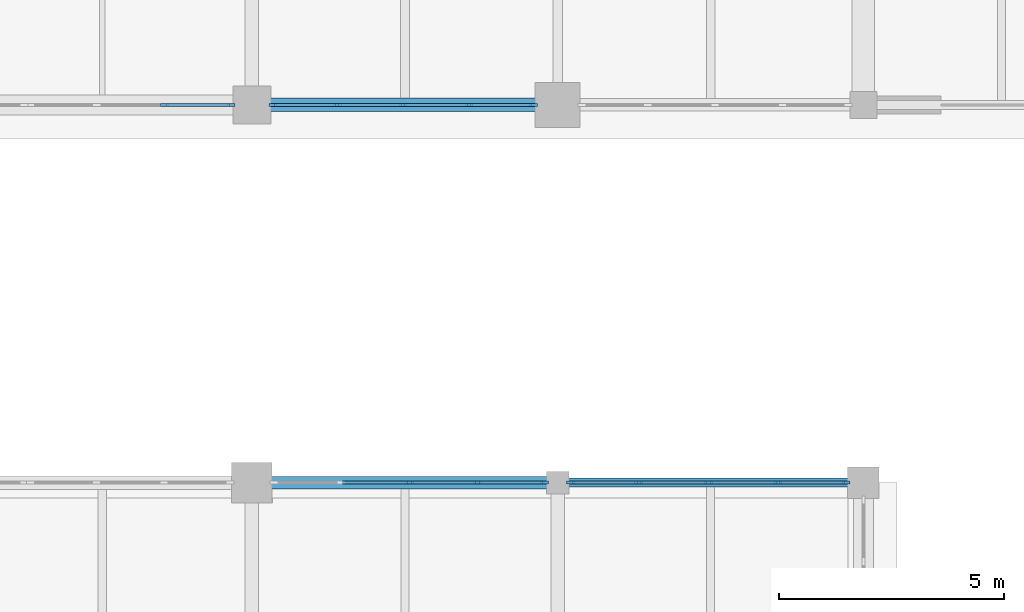
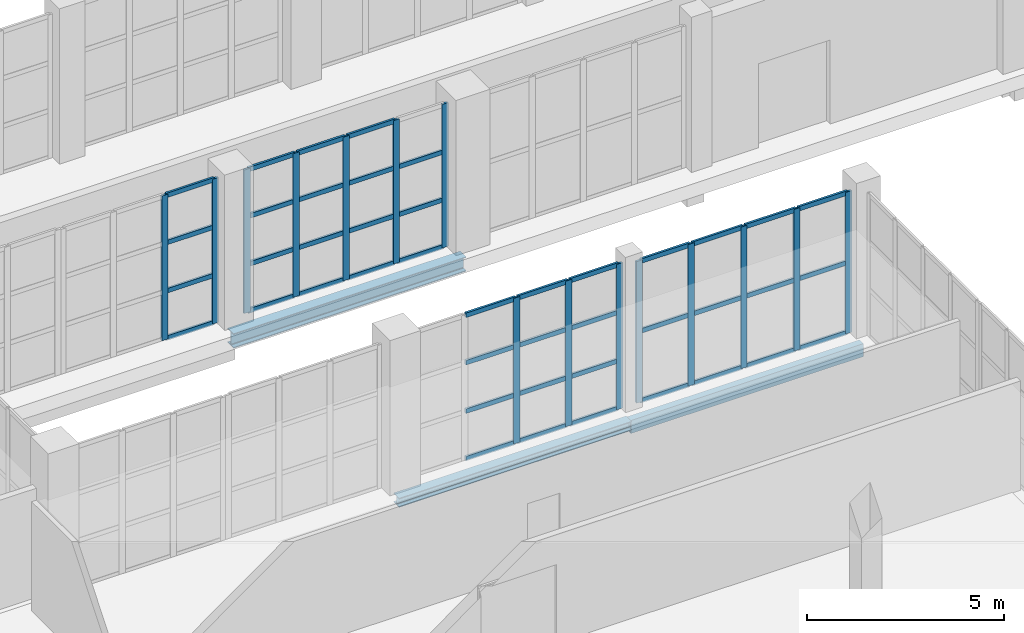
# One storey, part 45 of 121: 58 members, 3 beams, 4 elements without a shape of their own.
"""IFC4 building model written with IfcOpenShell, lengths in metres."""

import ifcopenshell
import ifcopenshell.guid

model = None  # the IFC model being written
_history = None  # IfcOwnerHistory: only IFC2X3 demands one
_inside = {}  # id of a spatial element -> (the spatial element, [elements in it])
_under = {}  # id of a project, library or spatial element -> (it, [spatial elements below it])
_declared = {}  # id of a project -> (the project, [libraries it declares])
_typed = {}  # id of a type object -> (the type object, [elements of that type])
_made_of = {}  # id of a material, layer set ... -> (it, [elements and type objects made of it])


def new_model(schema):
    """Start an empty IFC model of exactly this schema.

    Asked for "IFC4X3", IfcOpenShell would pick the latest addendum, in which some entities
    have other attributes; the version numbers below select the first issue.
    IFC2X3 requires an IfcOwnerHistory on every rooted entity: one is made here for all.
    """
    global model, _history
    if schema == "IFC4X3":
        model = ifcopenshell.file(schema_version=(4, 3, 0, 0))
    else:
        model = ifcopenshell.file(schema=schema)
    _inside.clear()
    _under.clear()
    _declared.clear()
    _typed.clear()
    _made_of.clear()
    _history = None
    if model.schema == "IFC2X3":
        org = make("IfcOrganization", Name="unknown")
        user = make(
            "IfcPersonAndOrganization",
            ThePerson=make("IfcPerson", FamilyName="unknown"),
            TheOrganization=org,
        )
        app = make(
            "IfcApplication",
            ApplicationDeveloper=org,
            Version="unknown",
            ApplicationFullName="unknown",
            ApplicationIdentifier="unknown",
        )
        _history = make(
            "IfcOwnerHistory",
            OwningUser=user,
            OwningApplication=app,
            ChangeAction="ADDED",
            CreationDate=0,
        )
    return model


def make(cls, **values):
    """One entity of the class cls with the attributes given. An attribute that is None is left unset."""
    return model.create_entity(
        cls, **{name: value for name, value in values.items() if value is not None}
    )


def rooted(cls, **values):
    """An entity with a GlobalId (a new one), such as an element, a storey or a relation."""
    return make(cls, GlobalId=ifcopenshell.guid.new(), OwnerHistory=_history, **values)


def si_unit(unit_type, name, prefix=None):
    """IfcSIUnit, for example si_unit("LENGTHUNIT", "METRE", prefix="MILLI")."""
    return make("IfcSIUnit", UnitType=unit_type, Prefix=prefix, Name=name)


def assignment(units):
    """IfcUnitAssignment: the units of a project."""
    return None if units is None else make("IfcUnitAssignment", Units=units)


def point(xyz):
    """IfcCartesianPoint."""
    return None if xyz is None else make("IfcCartesianPoint", Coordinates=xyz)


def direction(xyz):
    """IfcDirection."""
    return None if xyz is None else make("IfcDirection", DirectionRatios=xyz)


def frame(location, z_axis=None, x_axis=None):
    """IfcAxis2Placement3D, a coordinate frame: its origin and axes. An axis left out is left unset."""
    return make(
        "IfcAxis2Placement3D",
        Location=point(location),
        Axis=direction(z_axis),
        RefDirection=direction(x_axis),
    )


def frame_2d(location, x_axis=None):
    """IfcAxis2Placement2D, a coordinate frame in the plane: its origin and x axis."""
    return make(
        "IfcAxis2Placement2D", Location=point(location), RefDirection=direction(x_axis)
    )


def origin():
    """The frame at (0, 0, 0) with its axes left unset."""
    return frame((0.0, 0.0, 0.0))


def origin_2d():
    """The frame at (0, 0) in the plane with its x axis left unset."""
    return frame_2d((0.0, 0.0))


def place(relative_to, where):
    """IfcLocalPlacement: puts the frame where relative to a parent placement (None: the world)."""
    return make(
        "IfcLocalPlacement", PlacementRelTo=relative_to, RelativePlacement=where
    )


def context(
    kind, dimensions, precision=None, world=None, true_north=None, identifier=None
):
    """IfcGeometricRepresentationContext, for example the 3D "Model" context."""
    return make(
        "IfcGeometricRepresentationContext",
        ContextIdentifier=identifier,
        ContextType=kind,
        CoordinateSpaceDimension=dimensions,
        Precision=precision,
        WorldCoordinateSystem=world,
        TrueNorth=true_north,
    )


def subcontext(parent, identifier, kind, view, scale=None):
    """IfcGeometricRepresentationSubContext, for example "Body" below "Model"."""
    return make(
        "IfcGeometricRepresentationSubContext",
        ContextIdentifier=identifier,
        ContextType=kind,
        ParentContext=parent,
        TargetScale=scale,
        TargetView=view,
    )


def project(units=None, contexts=None):
    """IfcProject with its units and contexts."""
    return rooted(
        "IfcProject",
        Name="project",
        RepresentationContexts=contexts,
        UnitsInContext=assignment(units),
    )


def spatial(cls, under=None, at=None, **own):
    """A site, building, storey or space (cls), placed at a placement, below another one or the project."""
    s = rooted(cls, ObjectPlacement=at, **own)
    if under is not None:
        _under.setdefault(under.id(), (under, []))[1].append(s)
    return s


def profile(cls, at=None, kind="AREA", **sizes):
    """A parametric profile (cls). Its sizes go by their IFC names, for example OverallWidth=200.0."""
    return make(cls, ProfileType=kind, Position=at, **sizes)


def rectangle(**sizes):
    """IfcRectangleProfileDef."""
    return profile("IfcRectangleProfileDef", **sizes)


def hollow_rectangle(**sizes):
    """IfcRectangleHollowProfileDef."""
    return profile("IfcRectangleHollowProfileDef", **sizes)


def i_section(**sizes):
    """IfcIShapeProfileDef."""
    return profile("IfcIShapeProfileDef", **sizes)


def extrude(swept, where, along, depth):
    """IfcExtrudedAreaSolid: the profile swept, set in the frame where, extruded along a direction by depth."""
    return make(
        "IfcExtrudedAreaSolid",
        SweptArea=swept,
        Position=where,
        ExtrudedDirection=direction(along),
        Depth=depth,
    )


def shape(context_of_items, identifier, shape_type, items):
    """IfcShapeRepresentation: the items that make up one representation, for example the "Body"."""
    return make(
        "IfcShapeRepresentation",
        ContextOfItems=context_of_items,
        RepresentationIdentifier=identifier,
        RepresentationType=shape_type,
        Items=items,
    )


def material(Name=None, Category=None):
    """IfcMaterial."""
    return make("IfcMaterial", Name=Name, Category=Category)


def layer(
    of_material, thickness, ventilated=None, Name=None, Category=None, Priority=None
):
    """IfcMaterialLayer: one layer of a wall or slab, of a material (None: an air gap)."""
    return make(
        "IfcMaterialLayer",
        Material=of_material,
        LayerThickness=thickness,
        IsVentilated=ventilated,
        Name=Name,
        Category=Category,
        Priority=Priority,
    )


def layer_set(layers, Name=None):
    """IfcMaterialLayerSet."""
    return make("IfcMaterialLayerSet", MaterialLayers=layers, LayerSetName=Name)


def material_profile(
    of_material, cross_section, Name=None, Category=None, Priority=None
):
    """IfcMaterialProfile: a cross section and its material."""
    return make(
        "IfcMaterialProfile",
        Name=Name,
        Material=of_material,
        Profile=cross_section,
        Priority=Priority,
        Category=Category,
    )


def profile_set(profiles, Name=None, composite=None):
    """IfcMaterialProfileSet."""
    return make(
        "IfcMaterialProfileSet",
        Name=Name,
        MaterialProfiles=profiles,
        CompositeProfile=composite,
    )


def made_of(thing, what):
    """Note that an element or type object is made of a material, layer set ...; save() writes the relation."""
    if what is not None:
        _made_of.setdefault(what.id(), (what, []))[1].append(thing)
    return thing


def type_object(cls, material=None, **own):
    """A type object (cls), such as IfcWallType, which elements share."""
    return made_of(rooted(cls, **own), material)


def element(
    cls,
    number,
    at=None,
    inside=None,
    cuts=None,
    type_object=None,
    material=None,
    context=None,
    identifier="Body",
    shape_type=None,
    held_by="IfcProductDefinitionShape",
    body=None,
    shapes=None,
    **own,
):
    """One element of the class cls, such as IfcWall. Its Tag is "e" and its number.

    at: its placement. inside: the storey or other place that contains it. cuts: it is an
    opening in that element (IfcRelVoidsElement). A single representation is given by context,
    identifier, shape_type and body (its items); several are given by shapes. held_by: the class
    of the entity that holds the representations. save() writes the other relations.
    """
    e = rooted(cls, Tag="e%d" % number, ObjectPlacement=at, **own)
    if body is not None:
        shapes = [shape(context, identifier, shape_type, body)]
    if shapes is not None:
        e.Representation = make(held_by, Representations=shapes)
    if inside is not None:
        _inside.setdefault(inside.id(), (inside, []))[1].append(e)
    if cuts is not None:
        rooted(
            "IfcRelVoidsElement", RelatingBuildingElement=cuts, RelatedOpeningElement=e
        )
    if type_object is not None:
        _typed.setdefault(type_object.id(), (type_object, []))[1].append(e)
    return made_of(e, material)


def aggregate(whole, parts):
    """IfcRelAggregates: a whole, such as a stair, and the parts it consists of."""
    return rooted("IfcRelAggregates", RelatingObject=whole, RelatedObjects=parts)


def save(model, path):
    """Write the relations noted so far, then the file.

    IfcRelAggregates (storeys below a building ...), IfcRelContainedInSpatialStructure (elements
    in a storey), IfcRelDefinesByType, IfcRelAssociatesMaterial and IfcRelDeclares: one each for
    every whole, place, type object, material and project.
    """
    for whole, parts in _under.values():
        aggregate(whole, parts)
    for where, things in _inside.values():
        rooted(
            "IfcRelContainedInSpatialStructure",
            RelatedElements=things,
            RelatingStructure=where,
        )
    for kind, things in _typed.values():
        rooted("IfcRelDefinesByType", RelatedObjects=things, RelatingType=kind)
    for what, things in _made_of.values():
        rooted("IfcRelAssociatesMaterial", RelatedObjects=things, RelatingMaterial=what)
    for by, libraries in _declared.values():
        rooted("IfcRelDeclares", RelatingContext=by, RelatedDefinitions=libraries)
    model.write(path)


model = new_model("IFC4")

# Units and contexts
model_context = context("Model", 3, precision=1e-05, world=origin(), true_north=direction((0.0, 1.0)))
body_context = subcontext(model_context, "Body", "Model", "MODEL_VIEW")
ifc_project = project(units=[si_unit("LENGTHUNIT", "METRE"), si_unit("AREAUNIT", "SQUARE_METRE"), si_unit("VOLUMEUNIT", "CUBIC_METRE"), si_unit("PLANEANGLEUNIT", "RADIAN"), si_unit("MASSUNIT", "GRAM", prefix="KILO")], contexts=[model_context])

# Site, building, storey
site_placement = place(None, origin())
site = spatial("IfcSite", under=ifc_project, at=site_placement, CompositionType="ELEMENT")
building_placement = place(site_placement, origin())
building = spatial("IfcBuilding", under=site, at=building_placement, Name="Zereglee Splitstone Museum", CompositionType="ELEMENT")
storey_placement = place(building_placement, origin())
storey = spatial("IfcBuildingStorey", under=building, at=storey_placement, Name="L00", CompositionType="ELEMENT", Elevation=0.0)

# Curtain wall, members
ifc_material_1 = material(Name="Triple-glazed low-E argon glass and bronze-anodised aluminium", Category="aluminium")
ifc_layer_1 = layer(ifc_material_1, 0.179931640625)
ifc_layer_set_1 = layer_set([ifc_layer_1], Name="Triple-glazed low-E argon glass and bronze-anodised aluminium")
curtain_wall_type_1 = type_object("IfcCurtainWallType", Name="CW-0618-438", PredefinedType="USERDEFINED", material=ifc_layer_set_1)
curtain_wall_1_placement = place(storey_placement, origin())
curtain_wall_1 = element("IfcCurtainWall", 1, at=curtain_wall_1_placement, inside=storey, type_object=curtain_wall_type_1, Name="Glazed Curtain Wall CW-0618-438 (L00)", ObjectType="GLAZED CURTAIN WALL", PredefinedType="USERDEFINED")
ifc_material_2 = material(Name="Thermally broken bronze-anodised aluminium", Category="aluminium")
ifc_material_profile_1 = material_profile(ifc_material_2, rectangle(XDim=0.06494140625, YDim=0.179931640625, at=origin_2d()), Name="CW MULL 65x180")
ifc_profile_set_1 = profile_set([ifc_material_profile_1], Name="Thermally broken bronze-anodised aluminium")
member_type_1 = type_object("IfcMemberType", Name="CWM-01", PredefinedType="MULLION", material=ifc_profile_set_1)
member_1_placement = place(storey_placement, frame((228.409423828125, 21.60009765625, 0.0), z_axis=(0.0, 0.0, 1.0), x_axis=(0.0, -1.0, 0.0)))
member_1 = element("IfcMember", 2, at=member_1_placement, type_object=member_type_1, Name="CW-0618-438 mullion 1", PredefinedType="MULLION", context=body_context, shape_type="SweptSolid", body=[
    extrude(rectangle(XDim=0.06494140625, YDim=0.179931640625, at=origin_2d()), origin(), (0.0, 0.0, 1.0), 4.3798828125),
])
member_2_placement = place(storey_placement, frame((226.89599609375, 21.60009765625, 0.0), z_axis=(0.0, 0.0, 1.0), x_axis=(0.0, -1.0, 0.0)))
member_2 = element("IfcMember", 3, at=member_2_placement, type_object=member_type_1, Name="CW-0618-438 mullion 2", PredefinedType="MULLION", context=body_context, shape_type="SweptSolid", body=[
    extrude(rectangle(XDim=0.06494140625, YDim=0.179931640625, at=origin_2d()), origin(), (0.0, 0.0, 1.0), 4.3798828125),
])
member_3_placement = place(storey_placement, frame((225.35009765625, 21.60009765625, 0.0), z_axis=(0.0, 0.0, 1.0), x_axis=(0.0, -1.0, 0.0)))
member_3 = element("IfcMember", 4, at=member_3_placement, type_object=member_type_1, Name="CW-0618-438 mullion 3", PredefinedType="MULLION", context=body_context, shape_type="SweptSolid", body=[
    extrude(rectangle(XDim=0.06494140625, YDim=0.179931640625, at=origin_2d()), origin(), (0.0, 0.0, 1.0), 4.3798828125),
])
member_4_placement = place(storey_placement, frame((223.803955078125, 21.60009765625, 0.0), z_axis=(0.0, 0.0, 1.0), x_axis=(0.0, -1.0, 0.0)))
member_4 = element("IfcMember", 5, at=member_4_placement, type_object=member_type_1, Name="CW-0618-438 mullion 4", PredefinedType="MULLION", context=body_context, shape_type="SweptSolid", body=[
    extrude(rectangle(XDim=0.06494140625, YDim=0.179931640625, at=origin_2d()), origin(), (0.0, 0.0, 1.0), 4.3798828125),
])
member_5_placement = place(storey_placement, frame((222.29052734375, 21.60009765625, 0.0), z_axis=(0.0, 0.0, 1.0), x_axis=(0.0, -1.0, 0.0)))
member_5 = element("IfcMember", 6, at=member_5_placement, type_object=member_type_1, Name="CW-0618-438 mullion 5", PredefinedType="MULLION", context=body_context, shape_type="SweptSolid", body=[
    extrude(rectangle(XDim=0.06494140625, YDim=0.179931640625, at=origin_2d()), origin(), (0.0, 0.0, 1.0), 4.3798828125),
])

ifc_layer_2 = layer(ifc_material_1, 0.179931640625)
ifc_layer_set_2 = layer_set([ifc_layer_2], Name="Triple-glazed low-E argon glass and bronze-anodised aluminium")
curtain_wall_type_2 = type_object("IfcCurtainWallType", Name="CW-0608-450", PredefinedType="USERDEFINED", material=ifc_layer_set_2)
curtain_wall_2_placement = place(storey_placement, origin())
curtain_wall_2 = element("IfcCurtainWall", 7, at=curtain_wall_2_placement, inside=storey, type_object=curtain_wall_type_2, Name="Glazed Curtain Wall CW-0608-450 (L00)", ObjectType="GLAZED CURTAIN WALL", PredefinedType="USERDEFINED")
member_6_placement = place(storey_placement, frame((221.70947265625, 21.60009765625, 0.0), z_axis=(0.0, 0.0, 1.0), x_axis=(0.0, -1.0, 0.0)))
member_6 = element("IfcMember", 8, at=member_6_placement, type_object=member_type_1, Name="CW-0608-450 mullion 1", PredefinedType="MULLION", context=body_context, shape_type="SweptSolid", body=[
    extrude(rectangle(XDim=0.06494140625, YDim=0.179931640625, at=origin_2d()), origin(), (0.0, 0.0, 1.0), 4.5),
])
member_7_placement = place(storey_placement, frame((220.220947265625, 21.60009765625, 0.0), z_axis=(0.0, 0.0, 1.0), x_axis=(0.0, -1.0, 0.0)))
member_7 = element("IfcMember", 9, at=member_7_placement, type_object=member_type_1, Name="CW-0608-450 mullion 2", PredefinedType="MULLION", context=body_context, shape_type="SweptSolid", body=[
    extrude(rectangle(XDim=0.06494140625, YDim=0.179931640625, at=origin_2d()), origin(), (0.0, 0.0, 1.0), 4.5),
])
member_8_placement = place(storey_placement, frame((218.699951171875, 21.60009765625, 0.0), z_axis=(0.0, 0.0, 1.0), x_axis=(0.0, -1.0, 0.0)))
member_8 = element("IfcMember", 10, at=member_8_placement, type_object=member_type_1, Name="CW-0608-450 mullion 3", PredefinedType="MULLION", context=body_context, shape_type="SweptSolid", body=[
    extrude(rectangle(XDim=0.06494140625, YDim=0.179931640625, at=origin_2d()), origin(), (0.0, 0.0, 1.0), 4.5),
])

ifc_layer_3 = layer(ifc_material_1, 0.179931640625)
ifc_layer_set_3 = layer_set([ifc_layer_3], Name="Triple-glazed low-E argon glass and bronze-anodised aluminium")
curtain_wall_type_3 = type_object("IfcCurtainWallType", Name="CW-0453-448", PredefinedType="USERDEFINED", material=ifc_layer_set_3)
curtain_wall_3_placement = place(storey_placement, origin())
curtain_wall_3 = element("IfcCurtainWall", 11, at=curtain_wall_3_placement, inside=storey, type_object=curtain_wall_type_3, Name="Glazed Curtain Wall CW-0453-448 (L00)", ObjectType="GLAZED CURTAIN WALL", PredefinedType="USERDEFINED")
member_9_placement = place(storey_placement, frame((213.258056640625, 30.0, 0.0), z_axis=(0.0, 0.0, 1.0), x_axis=(0.0, 1.0, 0.0)))
member_9 = element("IfcMember", 12, at=member_9_placement, type_object=member_type_1, Name="CW-0453-448 mullion 3", PredefinedType="MULLION", context=body_context, shape_type="SweptSolid", body=[
    extrude(rectangle(XDim=0.06494140625, YDim=0.179931640625, at=origin_2d()), origin(), (0.0, 0.0, 1.0), 4.47998046875),
])
member_10_placement = place(storey_placement, frame((214.734619140625, 30.0, 0.0), z_axis=(0.0, 0.0, 1.0), x_axis=(0.0, 1.0, 0.0)))
member_10 = element("IfcMember", 13, at=member_10_placement, type_object=member_type_1, Name="CW-0453-448 mullion 4", PredefinedType="MULLION", context=body_context, shape_type="SweptSolid", body=[
    extrude(rectangle(XDim=0.06494140625, YDim=0.179931640625, at=origin_2d()), origin(), (0.0, 0.0, 1.0), 4.47998046875),
])

ifc_layer_4 = layer(ifc_material_1, 0.179931640625)
ifc_layer_set_4 = layer_set([ifc_layer_4], Name="Triple-glazed low-E argon glass and bronze-anodised aluminium")
curtain_wall_type_4 = type_object("IfcCurtainWallType", Name="CW-0586-444", PredefinedType="USERDEFINED", material=ifc_layer_set_4)
curtain_wall_4_placement = place(storey_placement, origin())
curtain_wall_4 = element("IfcCurtainWall", 14, at=curtain_wall_4_placement, inside=storey, type_object=curtain_wall_type_4, Name="Glazed Curtain Wall CW-0586-444 (L00)", ObjectType="GLAZED CURTAIN WALL", PredefinedType="USERDEFINED")
member_11_placement = place(storey_placement, frame((215.66552734375, 30.0, 0.0), z_axis=(0.0, 0.0, 1.0), x_axis=(0.0, 1.0, 0.0)))
member_11 = element("IfcMember", 15, at=member_11_placement, type_object=member_type_1, Name="CW-0586-444 mullion 1", PredefinedType="MULLION", context=body_context, shape_type="SweptSolid", body=[
    extrude(rectangle(XDim=0.06494140625, YDim=0.179931640625, at=origin_2d()), origin(), (0.0, 0.0, 1.0), 4.43994140625),
])
member_12_placement = place(storey_placement, frame((217.09765625, 30.0, 0.0), z_axis=(0.0, 0.0, 1.0), x_axis=(0.0, 1.0, 0.0)))
member_12 = element("IfcMember", 16, at=member_12_placement, type_object=member_type_1, Name="CW-0586-444 mullion 2", PredefinedType="MULLION", context=body_context, shape_type="SweptSolid", body=[
    extrude(rectangle(XDim=0.06494140625, YDim=0.179931640625, at=origin_2d()), origin(), (0.0, 0.0, 1.0), 4.43994140625),
])
member_13_placement = place(storey_placement, frame((218.5625, 30.0, 0.0), z_axis=(0.0, 0.0, 1.0), x_axis=(0.0, 1.0, 0.0)))
member_13 = element("IfcMember", 17, at=member_13_placement, type_object=member_type_1, Name="CW-0586-444 mullion 3", PredefinedType="MULLION", context=body_context, shape_type="SweptSolid", body=[
    extrude(rectangle(XDim=0.06494140625, YDim=0.179931640625, at=origin_2d()), origin(), (0.0, 0.0, 1.0), 4.43994140625),
])
member_14_placement = place(storey_placement, frame((220.02734375, 30.0, 0.0), z_axis=(0.0, 0.0, 1.0), x_axis=(0.0, 1.0, 0.0)))
member_14 = element("IfcMember", 18, at=member_14_placement, type_object=member_type_1, Name="CW-0586-444 mullion 4", PredefinedType="MULLION", context=body_context, shape_type="SweptSolid", body=[
    extrude(rectangle(XDim=0.06494140625, YDim=0.179931640625, at=origin_2d()), origin(), (0.0, 0.0, 1.0), 4.43994140625),
])
member_15_placement = place(storey_placement, frame((221.45947265625, 30.0, 0.0), z_axis=(0.0, 0.0, 1.0), x_axis=(0.0, 1.0, 0.0)))
member_15 = element("IfcMember", 19, at=member_15_placement, type_object=member_type_1, Name="CW-0586-444 mullion 5", PredefinedType="MULLION", context=body_context, shape_type="SweptSolid", body=[
    extrude(rectangle(XDim=0.06494140625, YDim=0.179931640625, at=origin_2d()), origin(), (0.0, 0.0, 1.0), 4.43994140625),
])

# Member
ifc_material_profile_2 = material_profile(ifc_material_2, rectangle(XDim=0.06494140625, YDim=0.139892578125, at=origin_2d()), Name="CW TRAN 65x140")
ifc_profile_set_2 = profile_set([ifc_material_profile_2], Name="Thermally broken bronze-anodised aluminium")
member_type_2 = type_object("IfcMemberType", Name="CWT-01", PredefinedType="USERDEFINED", material=ifc_profile_set_2)
member_16_placement = place(storey_placement, frame((228.376953125, 21.60009765625, 0.032470703125), z_axis=(-1.0, 0.0, 0.0), x_axis=(0.0, -1.0, 0.0)))
member_16 = element("IfcMember", 20, at=member_16_placement, type_object=member_type_2, Name="CW-0618-438 transom 1.1", ObjectType="TRANSOM", PredefinedType="USERDEFINED", context=body_context, shape_type="SweptSolid", body=[
    extrude(rectangle(XDim=0.06494140625, YDim=0.139892578125, at=origin_2d()), origin(), (0.0, 0.0, 1.0), 1.448486328125),
])

member_17_placement = place(storey_placement, frame((228.376953125, 21.60009765625, 2.18994140625), z_axis=(-1.0, 0.0, 0.0), x_axis=(0.0, -1.0, 0.0)))
member_17 = element("IfcMember", 21, at=member_17_placement, type_object=member_type_2, Name="CW-0618-438 transom 1.2", ObjectType="TRANSOM", PredefinedType="USERDEFINED", context=body_context, shape_type="SweptSolid", body=[
    extrude(rectangle(XDim=0.06494140625, YDim=0.139892578125, at=origin_2d()), origin(), (0.0, 0.0, 1.0), 1.448486328125),
])

member_18_placement = place(storey_placement, frame((228.376953125, 21.60009765625, 4.347412109375), z_axis=(-1.0, 0.0, 0.0), x_axis=(0.0, -1.0, 0.0)))
member_18 = element("IfcMember", 22, at=member_18_placement, type_object=member_type_2, Name="CW-0618-438 transom 1.3", ObjectType="TRANSOM", PredefinedType="USERDEFINED", context=body_context, shape_type="SweptSolid", body=[
    extrude(rectangle(XDim=0.06494140625, YDim=0.139892578125, at=origin_2d()), origin(), (0.0, 0.0, 1.0), 1.448486328125),
])

member_19_placement = place(storey_placement, frame((226.863525390625, 21.60009765625, 0.032470703125), z_axis=(-1.0, 0.0, 0.0), x_axis=(0.0, -1.0, 0.0)))
member_19 = element("IfcMember", 23, at=member_19_placement, type_object=member_type_2, Name="CW-0618-438 transom 2.1", ObjectType="TRANSOM", PredefinedType="USERDEFINED", context=body_context, shape_type="SweptSolid", body=[
    extrude(rectangle(XDim=0.06494140625, YDim=0.139892578125, at=origin_2d()), origin(), (0.0, 0.0, 1.0), 1.48095703125),
])

member_20_placement = place(storey_placement, frame((226.863525390625, 21.60009765625, 2.18994140625), z_axis=(-1.0, 0.0, 0.0), x_axis=(0.0, -1.0, 0.0)))
member_20 = element("IfcMember", 24, at=member_20_placement, type_object=member_type_2, Name="CW-0618-438 transom 2.2", ObjectType="TRANSOM", PredefinedType="USERDEFINED", context=body_context, shape_type="SweptSolid", body=[
    extrude(rectangle(XDim=0.06494140625, YDim=0.139892578125, at=origin_2d()), origin(), (0.0, 0.0, 1.0), 1.48095703125),
])

member_21_placement = place(storey_placement, frame((226.863525390625, 21.60009765625, 4.347412109375), z_axis=(-1.0, 0.0, 0.0), x_axis=(0.0, -1.0, 0.0)))
member_21 = element("IfcMember", 25, at=member_21_placement, type_object=member_type_2, Name="CW-0618-438 transom 2.3", ObjectType="TRANSOM", PredefinedType="USERDEFINED", context=body_context, shape_type="SweptSolid", body=[
    extrude(rectangle(XDim=0.06494140625, YDim=0.139892578125, at=origin_2d()), origin(), (0.0, 0.0, 1.0), 1.48095703125),
])

member_22_placement = place(storey_placement, frame((225.3173828125, 21.60009765625, 0.032470703125), z_axis=(-1.0, 0.0, 0.0), x_axis=(0.0, -1.0, 0.0)))
member_22 = element("IfcMember", 26, at=member_22_placement, type_object=member_type_2, Name="CW-0618-438 transom 3.1", ObjectType="TRANSOM", PredefinedType="USERDEFINED", context=body_context, shape_type="SweptSolid", body=[
    extrude(rectangle(XDim=0.06494140625, YDim=0.139892578125, at=origin_2d()), origin(), (0.0, 0.0, 1.0), 1.48095703125),
])

member_23_placement = place(storey_placement, frame((225.3173828125, 21.60009765625, 2.18994140625), z_axis=(-1.0, 0.0, 0.0), x_axis=(0.0, -1.0, 0.0)))
member_23 = element("IfcMember", 27, at=member_23_placement, type_object=member_type_2, Name="CW-0618-438 transom 3.2", ObjectType="TRANSOM", PredefinedType="USERDEFINED", context=body_context, shape_type="SweptSolid", body=[
    extrude(rectangle(XDim=0.06494140625, YDim=0.139892578125, at=origin_2d()), origin(), (0.0, 0.0, 1.0), 1.48095703125),
])

member_24_placement = place(storey_placement, frame((225.3173828125, 21.60009765625, 4.347412109375), z_axis=(-1.0, 0.0, 0.0), x_axis=(0.0, -1.0, 0.0)))
member_24 = element("IfcMember", 28, at=member_24_placement, type_object=member_type_2, Name="CW-0618-438 transom 3.3", ObjectType="TRANSOM", PredefinedType="USERDEFINED", context=body_context, shape_type="SweptSolid", body=[
    extrude(rectangle(XDim=0.06494140625, YDim=0.139892578125, at=origin_2d()), origin(), (0.0, 0.0, 1.0), 1.48095703125),
])

member_25_placement = place(storey_placement, frame((223.771484375, 21.60009765625, 0.032470703125), z_axis=(-1.0, 0.0, 0.0), x_axis=(0.0, -1.0, 0.0)))
member_25 = element("IfcMember", 29, at=member_25_placement, type_object=member_type_2, Name="CW-0618-438 transom 4.1", ObjectType="TRANSOM", PredefinedType="USERDEFINED", context=body_context, shape_type="SweptSolid", body=[
    extrude(rectangle(XDim=0.06494140625, YDim=0.139892578125, at=origin_2d()), origin(), (0.0, 0.0, 1.0), 1.448486328125),
])

member_26_placement = place(storey_placement, frame((223.771484375, 21.60009765625, 2.18994140625), z_axis=(-1.0, 0.0, 0.0), x_axis=(0.0, -1.0, 0.0)))
member_26 = element("IfcMember", 30, at=member_26_placement, type_object=member_type_2, Name="CW-0618-438 transom 4.2", ObjectType="TRANSOM", PredefinedType="USERDEFINED", context=body_context, shape_type="SweptSolid", body=[
    extrude(rectangle(XDim=0.06494140625, YDim=0.139892578125, at=origin_2d()), origin(), (0.0, 0.0, 1.0), 1.448486328125),
])

member_27_placement = place(storey_placement, frame((223.771484375, 21.60009765625, 4.347412109375), z_axis=(-1.0, 0.0, 0.0), x_axis=(0.0, -1.0, 0.0)))
member_27 = element("IfcMember", 31, at=member_27_placement, type_object=member_type_2, Name="CW-0618-438 transom 4.3", ObjectType="TRANSOM", PredefinedType="USERDEFINED", context=body_context, shape_type="SweptSolid", body=[
    extrude(rectangle(XDim=0.06494140625, YDim=0.139892578125, at=origin_2d()), origin(), (0.0, 0.0, 1.0), 1.448486328125),
])

aggregate(curtain_wall_1, [member_1, member_2, member_3, member_4, member_5, member_16, member_17, member_18, member_19, member_20, member_21, member_22, member_23, member_24, member_25, member_26, member_27])

member_28_placement = place(storey_placement, frame((221.677001953125, 21.60009765625, 0.032470703125), z_axis=(-1.0, 0.0, 0.0), x_axis=(0.0, -1.0, 0.0)))
member_28 = element("IfcMember", 32, at=member_28_placement, type_object=member_type_2, Name="CW-0608-450 transom 1.1", ObjectType="TRANSOM", PredefinedType="USERDEFINED", context=body_context, shape_type="SweptSolid", body=[
    extrude(rectangle(XDim=0.06494140625, YDim=0.139892578125, at=origin_2d()), origin(), (0.0, 0.0, 1.0), 1.423583984375),
])

member_29_placement = place(storey_placement, frame((221.677001953125, 21.60009765625, 1.5), z_axis=(-1.0, 0.0, 0.0), x_axis=(0.0, -1.0, 0.0)))
member_29 = element("IfcMember", 33, at=member_29_placement, type_object=member_type_2, Name="CW-0608-450 transom 1.2", ObjectType="TRANSOM", PredefinedType="USERDEFINED", context=body_context, shape_type="SweptSolid", body=[
    extrude(rectangle(XDim=0.06494140625, YDim=0.139892578125, at=origin_2d()), origin(), (0.0, 0.0, 1.0), 1.423583984375),
])

member_30_placement = place(storey_placement, frame((221.677001953125, 21.60009765625, 3.0), z_axis=(-1.0, 0.0, 0.0), x_axis=(0.0, -1.0, 0.0)))
member_30 = element("IfcMember", 34, at=member_30_placement, type_object=member_type_2, Name="CW-0608-450 transom 1.3", ObjectType="TRANSOM", PredefinedType="USERDEFINED", context=body_context, shape_type="SweptSolid", body=[
    extrude(rectangle(XDim=0.06494140625, YDim=0.139892578125, at=origin_2d()), origin(), (0.0, 0.0, 1.0), 1.423583984375),
])

member_31_placement = place(storey_placement, frame((221.677001953125, 21.60009765625, 4.467529296875), z_axis=(-1.0, 0.0, 0.0), x_axis=(0.0, -1.0, 0.0)))
member_31 = element("IfcMember", 35, at=member_31_placement, type_object=member_type_2, Name="CW-0608-450 transom 1.4", ObjectType="TRANSOM", PredefinedType="USERDEFINED", context=body_context, shape_type="SweptSolid", body=[
    extrude(rectangle(XDim=0.06494140625, YDim=0.139892578125, at=origin_2d()), origin(), (0.0, 0.0, 1.0), 1.423583984375),
])

member_32_placement = place(storey_placement, frame((220.1884765625, 21.60009765625, 0.032470703125), z_axis=(-1.0, 0.0, 0.0), x_axis=(0.0, -1.0, 0.0)))
member_32 = element("IfcMember", 36, at=member_32_placement, type_object=member_type_2, Name="CW-0608-450 transom 2.1", ObjectType="TRANSOM", PredefinedType="USERDEFINED", context=body_context, shape_type="SweptSolid", body=[
    extrude(rectangle(XDim=0.06494140625, YDim=0.139892578125, at=origin_2d()), origin(), (0.0, 0.0, 1.0), 1.4560546875),
])

member_33_placement = place(storey_placement, frame((220.1884765625, 21.60009765625, 1.5), z_axis=(-1.0, 0.0, 0.0), x_axis=(0.0, -1.0, 0.0)))
member_33 = element("IfcMember", 37, at=member_33_placement, type_object=member_type_2, Name="CW-0608-450 transom 2.2", ObjectType="TRANSOM", PredefinedType="USERDEFINED", context=body_context, shape_type="SweptSolid", body=[
    extrude(rectangle(XDim=0.06494140625, YDim=0.139892578125, at=origin_2d()), origin(), (0.0, 0.0, 1.0), 1.4560546875),
])

member_34_placement = place(storey_placement, frame((220.1884765625, 21.60009765625, 3.0), z_axis=(-1.0, 0.0, 0.0), x_axis=(0.0, -1.0, 0.0)))
member_34 = element("IfcMember", 38, at=member_34_placement, type_object=member_type_2, Name="CW-0608-450 transom 2.3", ObjectType="TRANSOM", PredefinedType="USERDEFINED", context=body_context, shape_type="SweptSolid", body=[
    extrude(rectangle(XDim=0.06494140625, YDim=0.139892578125, at=origin_2d()), origin(), (0.0, 0.0, 1.0), 1.4560546875),
])

member_35_placement = place(storey_placement, frame((220.1884765625, 21.60009765625, 4.467529296875), z_axis=(-1.0, 0.0, 0.0), x_axis=(0.0, -1.0, 0.0)))
member_35 = element("IfcMember", 39, at=member_35_placement, type_object=member_type_2, Name="CW-0608-450 transom 2.4", ObjectType="TRANSOM", PredefinedType="USERDEFINED", context=body_context, shape_type="SweptSolid", body=[
    extrude(rectangle(XDim=0.06494140625, YDim=0.139892578125, at=origin_2d()), origin(), (0.0, 0.0, 1.0), 1.4560546875),
])

member_36_placement = place(storey_placement, frame((218.66748046875, 21.60009765625, 0.032470703125), z_axis=(-1.0, 0.0, 0.0), x_axis=(0.0, -1.0, 0.0)))
member_36 = element("IfcMember", 40, at=member_36_placement, type_object=member_type_2, Name="CW-0608-450 transom 3.1", ObjectType="TRANSOM", PredefinedType="USERDEFINED", context=body_context, shape_type="SweptSolid", body=[
    extrude(rectangle(XDim=0.06494140625, YDim=0.139892578125, at=origin_2d()), origin(), (0.0, 0.0, 1.0), 1.4560546875),
])

member_37_placement = place(storey_placement, frame((218.66748046875, 21.60009765625, 1.5), z_axis=(-1.0, 0.0, 0.0), x_axis=(0.0, -1.0, 0.0)))
member_37 = element("IfcMember", 41, at=member_37_placement, type_object=member_type_2, Name="CW-0608-450 transom 3.2", ObjectType="TRANSOM", PredefinedType="USERDEFINED", context=body_context, shape_type="SweptSolid", body=[
    extrude(rectangle(XDim=0.06494140625, YDim=0.139892578125, at=origin_2d()), origin(), (0.0, 0.0, 1.0), 1.4560546875),
])

member_38_placement = place(storey_placement, frame((218.66748046875, 21.60009765625, 3.0), z_axis=(-1.0, 0.0, 0.0), x_axis=(0.0, -1.0, 0.0)))
member_38 = element("IfcMember", 42, at=member_38_placement, type_object=member_type_2, Name="CW-0608-450 transom 3.3", ObjectType="TRANSOM", PredefinedType="USERDEFINED", context=body_context, shape_type="SweptSolid", body=[
    extrude(rectangle(XDim=0.06494140625, YDim=0.139892578125, at=origin_2d()), origin(), (0.0, 0.0, 1.0), 1.4560546875),
])

member_39_placement = place(storey_placement, frame((218.66748046875, 21.60009765625, 4.467529296875), z_axis=(-1.0, 0.0, 0.0), x_axis=(0.0, -1.0, 0.0)))
member_39 = element("IfcMember", 43, at=member_39_placement, type_object=member_type_2, Name="CW-0608-450 transom 3.4", ObjectType="TRANSOM", PredefinedType="USERDEFINED", context=body_context, shape_type="SweptSolid", body=[
    extrude(rectangle(XDim=0.06494140625, YDim=0.139892578125, at=origin_2d()), origin(), (0.0, 0.0, 1.0), 1.4560546875),
])

aggregate(curtain_wall_2, [member_6, member_7, member_8, member_28, member_29, member_30, member_31, member_32, member_33, member_34, member_35, member_36, member_37, member_38, member_39])

member_40_placement = place(storey_placement, frame((213.29052734375, 30.0, 0.032470703125), z_axis=(1.0, 0.0, 0.0), x_axis=(0.0, 1.0, 0.0)))
member_40 = element("IfcMember", 44, at=member_40_placement, type_object=member_type_2, Name="CW-0453-448 transom 3.1", ObjectType="TRANSOM", PredefinedType="USERDEFINED", context=body_context, shape_type="SweptSolid", body=[
    extrude(rectangle(XDim=0.06494140625, YDim=0.139892578125, at=origin_2d()), origin(), (0.0, 0.0, 1.0), 1.411376953125),
])

member_41_placement = place(storey_placement, frame((213.29052734375, 30.0, 1.493408203125), z_axis=(1.0, 0.0, 0.0), x_axis=(0.0, 1.0, 0.0)))
member_41 = element("IfcMember", 45, at=member_41_placement, type_object=member_type_2, Name="CW-0453-448 transom 3.2", ObjectType="TRANSOM", PredefinedType="USERDEFINED", context=body_context, shape_type="SweptSolid", body=[
    extrude(rectangle(XDim=0.06494140625, YDim=0.139892578125, at=origin_2d()), origin(), (0.0, 0.0, 1.0), 1.411376953125),
])

member_42_placement = place(storey_placement, frame((213.29052734375, 30.0, 2.98681640625), z_axis=(1.0, 0.0, 0.0), x_axis=(0.0, 1.0, 0.0)))
member_42 = element("IfcMember", 46, at=member_42_placement, type_object=member_type_2, Name="CW-0453-448 transom 3.3", ObjectType="TRANSOM", PredefinedType="USERDEFINED", context=body_context, shape_type="SweptSolid", body=[
    extrude(rectangle(XDim=0.06494140625, YDim=0.139892578125, at=origin_2d()), origin(), (0.0, 0.0, 1.0), 1.411376953125),
])

member_43_placement = place(storey_placement, frame((213.29052734375, 30.0, 4.447509765625), z_axis=(1.0, 0.0, 0.0), x_axis=(0.0, 1.0, 0.0)))
member_43 = element("IfcMember", 47, at=member_43_placement, type_object=member_type_2, Name="CW-0453-448 transom 3.4", ObjectType="TRANSOM", PredefinedType="USERDEFINED", context=body_context, shape_type="SweptSolid", body=[
    extrude(rectangle(XDim=0.06494140625, YDim=0.139892578125, at=origin_2d()), origin(), (0.0, 0.0, 1.0), 1.411376953125),
])

aggregate(curtain_wall_3, [member_9, member_10, member_40, member_41, member_42, member_43])

member_44_placement = place(storey_placement, frame((215.697998046875, 30.0, 0.032470703125), z_axis=(1.0, 0.0, 0.0), x_axis=(0.0, 1.0, 0.0)))
member_44 = element("IfcMember", 48, at=member_44_placement, type_object=member_type_2, Name="CW-0586-444 transom 1.1", ObjectType="TRANSOM", PredefinedType="USERDEFINED", context=body_context, shape_type="SweptSolid", body=[
    extrude(rectangle(XDim=0.06494140625, YDim=0.139892578125, at=origin_2d()), origin(), (0.0, 0.0, 1.0), 1.3671875),
])

member_45_placement = place(storey_placement, frame((215.697998046875, 30.0, 1.47998046875), z_axis=(1.0, 0.0, 0.0), x_axis=(0.0, 1.0, 0.0)))
member_45 = element("IfcMember", 49, at=member_45_placement, type_object=member_type_2, Name="CW-0586-444 transom 1.2", ObjectType="TRANSOM", PredefinedType="USERDEFINED", context=body_context, shape_type="SweptSolid", body=[
    extrude(rectangle(XDim=0.06494140625, YDim=0.139892578125, at=origin_2d()), origin(), (0.0, 0.0, 1.0), 1.3671875),
])

member_46_placement = place(storey_placement, frame((215.697998046875, 30.0, 2.9599609375), z_axis=(1.0, 0.0, 0.0), x_axis=(0.0, 1.0, 0.0)))
member_46 = element("IfcMember", 50, at=member_46_placement, type_object=member_type_2, Name="CW-0586-444 transom 1.3", ObjectType="TRANSOM", PredefinedType="USERDEFINED", context=body_context, shape_type="SweptSolid", body=[
    extrude(rectangle(XDim=0.06494140625, YDim=0.139892578125, at=origin_2d()), origin(), (0.0, 0.0, 1.0), 1.3671875),
])

member_47_placement = place(storey_placement, frame((215.697998046875, 30.0, 4.407470703125), z_axis=(1.0, 0.0, 0.0), x_axis=(0.0, 1.0, 0.0)))
member_47 = element("IfcMember", 51, at=member_47_placement, type_object=member_type_2, Name="CW-0586-444 transom 1.4", ObjectType="TRANSOM", PredefinedType="USERDEFINED", context=body_context, shape_type="SweptSolid", body=[
    extrude(rectangle(XDim=0.06494140625, YDim=0.139892578125, at=origin_2d()), origin(), (0.0, 0.0, 1.0), 1.3671875),
])

member_48_placement = place(storey_placement, frame((217.13037109375, 30.0, 0.032470703125), z_axis=(1.0, 0.0, 0.0), x_axis=(0.0, 1.0, 0.0)))
member_48 = element("IfcMember", 52, at=member_48_placement, type_object=member_type_2, Name="CW-0586-444 transom 2.1", ObjectType="TRANSOM", PredefinedType="USERDEFINED", context=body_context, shape_type="SweptSolid", body=[
    extrude(rectangle(XDim=0.06494140625, YDim=0.139892578125, at=origin_2d()), origin(), (0.0, 0.0, 1.0), 1.399658203125),
])

member_49_placement = place(storey_placement, frame((217.13037109375, 30.0, 1.47998046875), z_axis=(1.0, 0.0, 0.0), x_axis=(0.0, 1.0, 0.0)))
member_49 = element("IfcMember", 53, at=member_49_placement, type_object=member_type_2, Name="CW-0586-444 transom 2.2", ObjectType="TRANSOM", PredefinedType="USERDEFINED", context=body_context, shape_type="SweptSolid", body=[
    extrude(rectangle(XDim=0.06494140625, YDim=0.139892578125, at=origin_2d()), origin(), (0.0, 0.0, 1.0), 1.399658203125),
])

member_50_placement = place(storey_placement, frame((217.13037109375, 30.0, 2.9599609375), z_axis=(1.0, 0.0, 0.0), x_axis=(0.0, 1.0, 0.0)))
member_50 = element("IfcMember", 54, at=member_50_placement, type_object=member_type_2, Name="CW-0586-444 transom 2.3", ObjectType="TRANSOM", PredefinedType="USERDEFINED", context=body_context, shape_type="SweptSolid", body=[
    extrude(rectangle(XDim=0.06494140625, YDim=0.139892578125, at=origin_2d()), origin(), (0.0, 0.0, 1.0), 1.399658203125),
])

member_51_placement = place(storey_placement, frame((217.13037109375, 30.0, 4.407470703125), z_axis=(1.0, 0.0, 0.0), x_axis=(0.0, 1.0, 0.0)))
member_51 = element("IfcMember", 55, at=member_51_placement, type_object=member_type_2, Name="CW-0586-444 transom 2.4", ObjectType="TRANSOM", PredefinedType="USERDEFINED", context=body_context, shape_type="SweptSolid", body=[
    extrude(rectangle(XDim=0.06494140625, YDim=0.139892578125, at=origin_2d()), origin(), (0.0, 0.0, 1.0), 1.399658203125),
])

member_52_placement = place(storey_placement, frame((218.594970703125, 30.0, 0.032470703125), z_axis=(1.0, 0.0, 0.0), x_axis=(0.0, 1.0, 0.0)))
member_52 = element("IfcMember", 56, at=member_52_placement, type_object=member_type_2, Name="CW-0586-444 transom 3.1", ObjectType="TRANSOM", PredefinedType="USERDEFINED", context=body_context, shape_type="SweptSolid", body=[
    extrude(rectangle(XDim=0.06494140625, YDim=0.139892578125, at=origin_2d()), origin(), (0.0, 0.0, 1.0), 1.399658203125),
])

member_53_placement = place(storey_placement, frame((218.594970703125, 30.0, 1.47998046875), z_axis=(1.0, 0.0, 0.0), x_axis=(0.0, 1.0, 0.0)))
member_53 = element("IfcMember", 57, at=member_53_placement, type_object=member_type_2, Name="CW-0586-444 transom 3.2", ObjectType="TRANSOM", PredefinedType="USERDEFINED", context=body_context, shape_type="SweptSolid", body=[
    extrude(rectangle(XDim=0.06494140625, YDim=0.139892578125, at=origin_2d()), origin(), (0.0, 0.0, 1.0), 1.399658203125),
])

member_54_placement = place(storey_placement, frame((218.594970703125, 30.0, 2.9599609375), z_axis=(1.0, 0.0, 0.0), x_axis=(0.0, 1.0, 0.0)))
member_54 = element("IfcMember", 58, at=member_54_placement, type_object=member_type_2, Name="CW-0586-444 transom 3.3", ObjectType="TRANSOM", PredefinedType="USERDEFINED", context=body_context, shape_type="SweptSolid", body=[
    extrude(rectangle(XDim=0.06494140625, YDim=0.139892578125, at=origin_2d()), origin(), (0.0, 0.0, 1.0), 1.399658203125),
])

member_55_placement = place(storey_placement, frame((218.594970703125, 30.0, 4.407470703125), z_axis=(1.0, 0.0, 0.0), x_axis=(0.0, 1.0, 0.0)))
member_55 = element("IfcMember", 59, at=member_55_placement, type_object=member_type_2, Name="CW-0586-444 transom 3.4", ObjectType="TRANSOM", PredefinedType="USERDEFINED", context=body_context, shape_type="SweptSolid", body=[
    extrude(rectangle(XDim=0.06494140625, YDim=0.139892578125, at=origin_2d()), origin(), (0.0, 0.0, 1.0), 1.399658203125),
])

member_56_placement = place(storey_placement, frame((220.059814453125, 30.0, 0.032470703125), z_axis=(1.0, 0.0, 0.0), x_axis=(0.0, 1.0, 0.0)))
member_56 = element("IfcMember", 60, at=member_56_placement, type_object=member_type_2, Name="CW-0586-444 transom 4.1", ObjectType="TRANSOM", PredefinedType="USERDEFINED", context=body_context, shape_type="SweptSolid", body=[
    extrude(rectangle(XDim=0.06494140625, YDim=0.139892578125, at=origin_2d()), origin(), (0.0, 0.0, 1.0), 1.3671875),
])

member_57_placement = place(storey_placement, frame((220.059814453125, 30.0, 1.47998046875), z_axis=(1.0, 0.0, 0.0), x_axis=(0.0, 1.0, 0.0)))
member_57 = element("IfcMember", 61, at=member_57_placement, type_object=member_type_2, Name="CW-0586-444 transom 4.2", ObjectType="TRANSOM", PredefinedType="USERDEFINED", context=body_context, shape_type="SweptSolid", body=[
    extrude(rectangle(XDim=0.06494140625, YDim=0.139892578125, at=origin_2d()), origin(), (0.0, 0.0, 1.0), 1.3671875),
])

member_58_placement = place(storey_placement, frame((220.059814453125, 30.0, 2.9599609375), z_axis=(1.0, 0.0, 0.0), x_axis=(0.0, 1.0, 0.0)))
member_58 = element("IfcMember", 62, at=member_58_placement, type_object=member_type_2, Name="CW-0586-444 transom 4.3", ObjectType="TRANSOM", PredefinedType="USERDEFINED", context=body_context, shape_type="SweptSolid", body=[
    extrude(rectangle(XDim=0.06494140625, YDim=0.139892578125, at=origin_2d()), origin(), (0.0, 0.0, 1.0), 1.3671875),
])

aggregate(curtain_wall_4, [member_11, member_12, member_13, member_14, member_15, member_44, member_45, member_46, member_47, member_48, member_49, member_50, member_51, member_52, member_53, member_54, member_55, member_56, member_57, member_58])

# Beams
ifc_material_3 = material(Name="Steel S355J2", Category="steel")
ifc_material_profile_3 = material_profile(ifc_material_3, i_section(OverallWidth=0.280029296875, OverallDepth=0.280029296875, WebThickness=0.010498046875, FlangeThickness=0.01806640625, FilletRadius=0.02392578125, at=origin_2d()), Name="HE 280 B")
ifc_profile_set_3 = profile_set([ifc_material_profile_3], Name="Steel S355J2")
beam_type_1 = type_object("IfcBeamType", Name="SP-03", PredefinedType="SPANDREL", material=ifc_profile_set_3)
beam_1_placement = place(storey_placement, frame((215.199951171875, 21.60009765625, -0.56005859375), z_axis=(1.0, 0.0, 0.0), x_axis=(0.0, 1.0, 0.0)))
element("IfcBeam", 63, at=beam_1_placement, inside=storey, type_object=beam_type_1, Name="Primary Girder L00 C (215.2-222.0)", PredefinedType="SPANDREL", context=body_context, shape_type="SweptSolid", body=[
    extrude(i_section(OverallWidth=0.280029296875, OverallDepth=0.280029296875, WebThickness=0.010498046875, FlangeThickness=0.01806640625, FilletRadius=0.02392578125, at=origin_2d()), origin(), (0.0, 0.0, 1.0), 6.800048828125),
])
ifc_material_profile_4 = material_profile(ifc_material_3, i_section(OverallWidth=0.300048828125, OverallDepth=0.449951171875, WebThickness=0.013916015625, FlangeThickness=0.02587890625, FilletRadius=0.027099609375, at=origin_2d()), Name="HE 450 B")
ifc_profile_set_4 = profile_set([ifc_material_profile_4], Name="Steel S355J2")
beam_type_2 = type_object("IfcBeamType", Name="SP-02", PredefinedType="SPANDREL", material=ifc_profile_set_4)
beam_2_placement = place(storey_placement, frame((215.199951171875, 30.0, -0.64501953125), z_axis=(1.0, 0.0, 0.0), x_axis=(0.0, 1.0, 0.0)))
element("IfcBeam", 64, at=beam_2_placement, inside=storey, type_object=beam_type_2, Name="Primary Girder L00 D (215.2-222.0)", PredefinedType="SPANDREL", context=body_context, shape_type="SweptSolid", body=[
    extrude(i_section(OverallWidth=0.300048828125, OverallDepth=0.449951171875, WebThickness=0.013916015625, FlangeThickness=0.02587890625, FilletRadius=0.027099609375, at=origin_2d()), origin(), (0.0, 0.0, 1.0), 6.800048828125),
])
ifc_material_4 = material(Name="Steel S355J2H", Category="steel")
ifc_material_profile_5 = material_profile(ifc_material_4, hollow_rectangle(XDim=0.199951171875, YDim=0.39990234375, WallThickness=0.01611328125, at=origin_2d()), Name="RHS 400x200x16")
ifc_profile_set_5 = profile_set([ifc_material_profile_5], Name="Steel S355J2H")
beam_type_3 = type_object("IfcBeamType", Name="SP-04", PredefinedType="SPANDREL", material=ifc_profile_set_5)
beam_3_placement = place(storey_placement, frame((222.0, 21.60009765625, -0.6201171875), z_axis=(1.0, 0.0, 0.0), x_axis=(0.0, 1.0, 0.0)))
element("IfcBeam", 65, at=beam_3_placement, inside=storey, type_object=beam_type_3, Name="Primary Girder L00 C (222.0-228.8)", PredefinedType="SPANDREL", context=body_context, shape_type="SweptSolid", body=[
    extrude(hollow_rectangle(XDim=0.199951171875, YDim=0.39990234375, WallThickness=0.01611328125, at=origin_2d()), origin(), (0.0, 0.0, 1.0), 6.800048828125),
])

save(model, "model.ifc")
